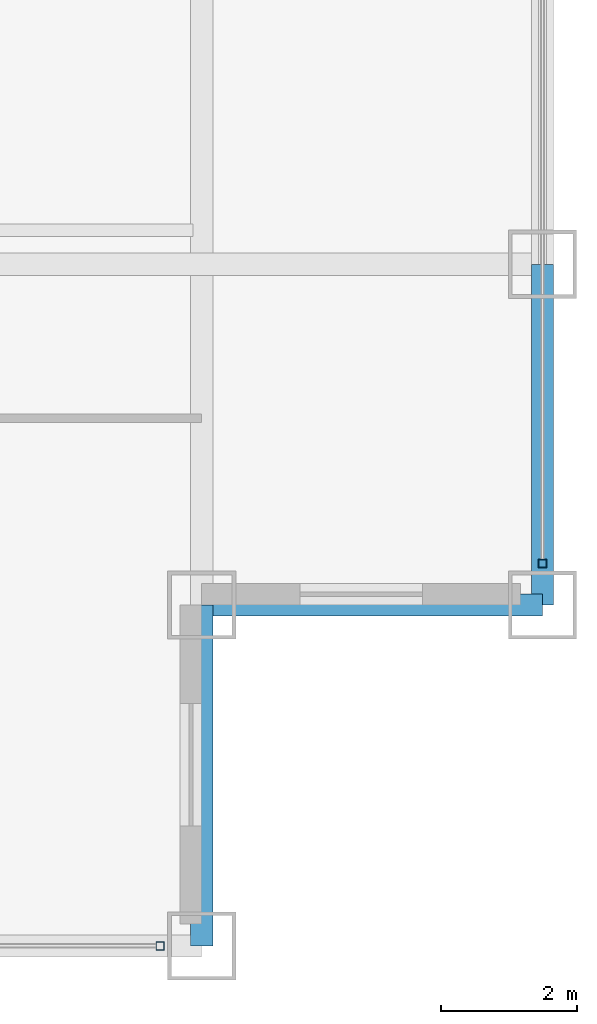
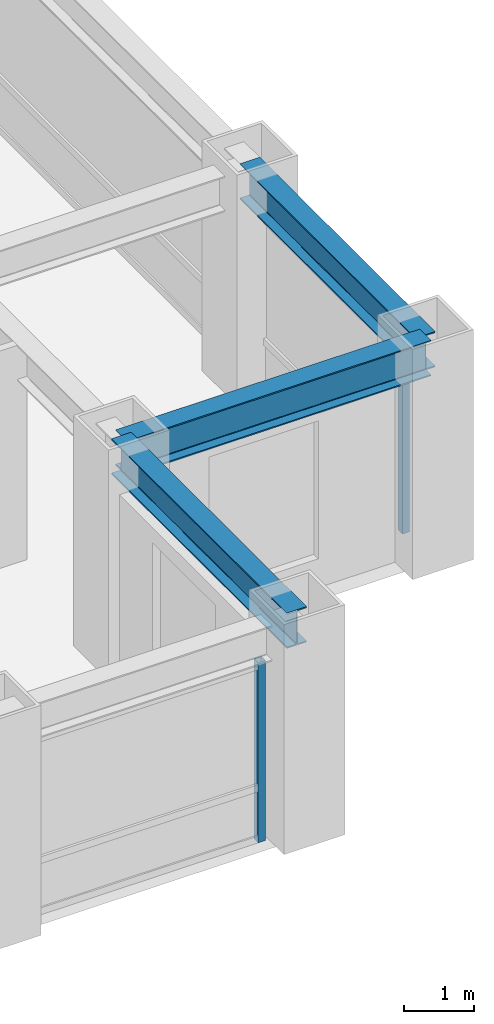
# One storey, part 8 of 24: 3 beams, 2 members, 2 elements without a shape of their own.
"""IFC4 building model written with IfcOpenShell, lengths in metres."""

import ifcopenshell
import ifcopenshell.guid

model = None  # the IFC model being written
_history = None  # IfcOwnerHistory: only IFC2X3 demands one
_inside = {}  # id of a spatial element -> (the spatial element, [elements in it])
_under = {}  # id of a project, library or spatial element -> (it, [spatial elements below it])
_declared = {}  # id of a project -> (the project, [libraries it declares])
_typed = {}  # id of a type object -> (the type object, [elements of that type])
_made_of = {}  # id of a material, layer set ... -> (it, [elements and type objects made of it])


def new_model(schema):
    """Start an empty IFC model of exactly this schema.

    Asked for "IFC4X3", IfcOpenShell would pick the latest addendum, in which some entities
    have other attributes; the version numbers below select the first issue.
    IFC2X3 requires an IfcOwnerHistory on every rooted entity: one is made here for all.
    """
    global model, _history
    if schema == "IFC4X3":
        model = ifcopenshell.file(schema_version=(4, 3, 0, 0))
    else:
        model = ifcopenshell.file(schema=schema)
    _inside.clear()
    _under.clear()
    _declared.clear()
    _typed.clear()
    _made_of.clear()
    _history = None
    if model.schema == "IFC2X3":
        org = make("IfcOrganization", Name="unknown")
        user = make(
            "IfcPersonAndOrganization",
            ThePerson=make("IfcPerson", FamilyName="unknown"),
            TheOrganization=org,
        )
        app = make(
            "IfcApplication",
            ApplicationDeveloper=org,
            Version="unknown",
            ApplicationFullName="unknown",
            ApplicationIdentifier="unknown",
        )
        _history = make(
            "IfcOwnerHistory",
            OwningUser=user,
            OwningApplication=app,
            ChangeAction="ADDED",
            CreationDate=0,
        )
    return model


def make(cls, **values):
    """One entity of the class cls with the attributes given. An attribute that is None is left unset."""
    return model.create_entity(
        cls, **{name: value for name, value in values.items() if value is not None}
    )


def rooted(cls, **values):
    """An entity with a GlobalId (a new one), such as an element, a storey or a relation."""
    return make(cls, GlobalId=ifcopenshell.guid.new(), OwnerHistory=_history, **values)


def si_unit(unit_type, name, prefix=None):
    """IfcSIUnit, for example si_unit("LENGTHUNIT", "METRE", prefix="MILLI")."""
    return make("IfcSIUnit", UnitType=unit_type, Prefix=prefix, Name=name)


def assignment(units):
    """IfcUnitAssignment: the units of a project."""
    return None if units is None else make("IfcUnitAssignment", Units=units)


def point(xyz):
    """IfcCartesianPoint."""
    return None if xyz is None else make("IfcCartesianPoint", Coordinates=xyz)


def direction(xyz):
    """IfcDirection."""
    return None if xyz is None else make("IfcDirection", DirectionRatios=xyz)


def frame(location, z_axis=None, x_axis=None):
    """IfcAxis2Placement3D, a coordinate frame: its origin and axes. An axis left out is left unset."""
    return make(
        "IfcAxis2Placement3D",
        Location=point(location),
        Axis=direction(z_axis),
        RefDirection=direction(x_axis),
    )


def frame_2d(location, x_axis=None):
    """IfcAxis2Placement2D, a coordinate frame in the plane: its origin and x axis."""
    return make(
        "IfcAxis2Placement2D", Location=point(location), RefDirection=direction(x_axis)
    )


def origin():
    """The frame at (0, 0, 0) with its axes left unset."""
    return frame((0.0, 0.0, 0.0))


def origin_2d():
    """The frame at (0, 0) in the plane with its x axis left unset."""
    return frame_2d((0.0, 0.0))


def place(relative_to, where):
    """IfcLocalPlacement: puts the frame where relative to a parent placement (None: the world)."""
    return make(
        "IfcLocalPlacement", PlacementRelTo=relative_to, RelativePlacement=where
    )


def context(
    kind, dimensions, precision=None, world=None, true_north=None, identifier=None
):
    """IfcGeometricRepresentationContext, for example the 3D "Model" context."""
    return make(
        "IfcGeometricRepresentationContext",
        ContextIdentifier=identifier,
        ContextType=kind,
        CoordinateSpaceDimension=dimensions,
        Precision=precision,
        WorldCoordinateSystem=world,
        TrueNorth=true_north,
    )


def subcontext(parent, identifier, kind, view, scale=None):
    """IfcGeometricRepresentationSubContext, for example "Body" below "Model"."""
    return make(
        "IfcGeometricRepresentationSubContext",
        ContextIdentifier=identifier,
        ContextType=kind,
        ParentContext=parent,
        TargetScale=scale,
        TargetView=view,
    )


def project(units=None, contexts=None):
    """IfcProject with its units and contexts."""
    return rooted(
        "IfcProject",
        Name="project",
        RepresentationContexts=contexts,
        UnitsInContext=assignment(units),
    )


def spatial(cls, under=None, at=None, **own):
    """A site, building, storey or space (cls), placed at a placement, below another one or the project."""
    s = rooted(cls, ObjectPlacement=at, **own)
    if under is not None:
        _under.setdefault(under.id(), (under, []))[1].append(s)
    return s


def profile(cls, at=None, kind="AREA", **sizes):
    """A parametric profile (cls). Its sizes go by their IFC names, for example OverallWidth=200.0."""
    return make(cls, ProfileType=kind, Position=at, **sizes)


def hollow_rectangle(**sizes):
    """IfcRectangleHollowProfileDef."""
    return profile("IfcRectangleHollowProfileDef", **sizes)


def i_section(**sizes):
    """IfcIShapeProfileDef."""
    return profile("IfcIShapeProfileDef", **sizes)


def extrude(swept, where, along, depth):
    """IfcExtrudedAreaSolid: the profile swept, set in the frame where, extruded along a direction by depth."""
    return make(
        "IfcExtrudedAreaSolid",
        SweptArea=swept,
        Position=where,
        ExtrudedDirection=direction(along),
        Depth=depth,
    )


def shape(context_of_items, identifier, shape_type, items):
    """IfcShapeRepresentation: the items that make up one representation, for example the "Body"."""
    return make(
        "IfcShapeRepresentation",
        ContextOfItems=context_of_items,
        RepresentationIdentifier=identifier,
        RepresentationType=shape_type,
        Items=items,
    )


def source(mapping_origin, context_of_items, identifier, shape_type, items):
    """IfcRepresentationMap: a shape defined once, which mapped items show again and again."""
    return make(
        "IfcRepresentationMap",
        MappingOrigin=mapping_origin,
        MappedRepresentation=shape(context_of_items, identifier, shape_type, items),
    )


def transform(
    local_origin,
    x_axis=None,
    y_axis=None,
    z_axis=None,
    scale=None,
    scale2=None,
    scale3=None,
    uniform=True,
):
    """IfcCartesianTransformationOperator3D, or its non-uniform kind. x_axis, y_axis, z_axis: its Axis1, 2, 3."""
    if uniform:
        return make(
            "IfcCartesianTransformationOperator3D",
            Axis1=direction(x_axis),
            Axis2=direction(y_axis),
            LocalOrigin=point(local_origin),
            Scale=scale,
            Axis3=direction(z_axis),
        )
    return make(
        "IfcCartesianTransformationOperator3DnonUniform",
        Axis1=direction(x_axis),
        Axis2=direction(y_axis),
        LocalOrigin=point(local_origin),
        Scale=scale,
        Axis3=direction(z_axis),
        Scale2=scale2,
        Scale3=scale3,
    )


def mapped(mapping_source, mapping_target):
    """IfcMappedItem: shows the shape of a source again, moved by a transform."""
    return make(
        "IfcMappedItem", MappingSource=mapping_source, MappingTarget=mapping_target
    )


def material(Name=None, Category=None):
    """IfcMaterial."""
    return make("IfcMaterial", Name=Name, Category=Category)


def material_profile(
    of_material, cross_section, Name=None, Category=None, Priority=None
):
    """IfcMaterialProfile: a cross section and its material."""
    return make(
        "IfcMaterialProfile",
        Name=Name,
        Material=of_material,
        Profile=cross_section,
        Priority=Priority,
        Category=Category,
    )


def profile_set(profiles, Name=None, composite=None):
    """IfcMaterialProfileSet."""
    return make(
        "IfcMaterialProfileSet",
        Name=Name,
        MaterialProfiles=profiles,
        CompositeProfile=composite,
    )


def made_of(thing, what):
    """Note that an element or type object is made of a material, layer set ...; save() writes the relation."""
    if what is not None:
        _made_of.setdefault(what.id(), (what, []))[1].append(thing)
    return thing


def type_object(cls, material=None, **own):
    """A type object (cls), such as IfcWallType, which elements share."""
    return made_of(rooted(cls, **own), material)


def element(
    cls,
    number,
    at=None,
    inside=None,
    cuts=None,
    type_object=None,
    material=None,
    context=None,
    identifier="Body",
    shape_type=None,
    held_by="IfcProductDefinitionShape",
    body=None,
    shapes=None,
    **own,
):
    """One element of the class cls, such as IfcWall. Its Tag is "e" and its number.

    at: its placement. inside: the storey or other place that contains it. cuts: it is an
    opening in that element (IfcRelVoidsElement). A single representation is given by context,
    identifier, shape_type and body (its items); several are given by shapes. held_by: the class
    of the entity that holds the representations. save() writes the other relations.
    """
    e = rooted(cls, Tag="e%d" % number, ObjectPlacement=at, **own)
    if body is not None:
        shapes = [shape(context, identifier, shape_type, body)]
    if shapes is not None:
        e.Representation = make(held_by, Representations=shapes)
    if inside is not None:
        _inside.setdefault(inside.id(), (inside, []))[1].append(e)
    if cuts is not None:
        rooted(
            "IfcRelVoidsElement", RelatingBuildingElement=cuts, RelatedOpeningElement=e
        )
    if type_object is not None:
        _typed.setdefault(type_object.id(), (type_object, []))[1].append(e)
    return made_of(e, material)


def aggregate(whole, parts):
    """IfcRelAggregates: a whole, such as a stair, and the parts it consists of."""
    return rooted("IfcRelAggregates", RelatingObject=whole, RelatedObjects=parts)


def save(model, path):
    """Write the relations noted so far, then the file.

    IfcRelAggregates (storeys below a building ...), IfcRelContainedInSpatialStructure (elements
    in a storey), IfcRelDefinesByType, IfcRelAssociatesMaterial and IfcRelDeclares: one each for
    every whole, place, type object, material and project.
    """
    for whole, parts in _under.values():
        aggregate(whole, parts)
    for where, things in _inside.values():
        rooted(
            "IfcRelContainedInSpatialStructure",
            RelatedElements=things,
            RelatingStructure=where,
        )
    for kind, things in _typed.values():
        rooted("IfcRelDefinesByType", RelatedObjects=things, RelatingType=kind)
    for what, things in _made_of.values():
        rooted("IfcRelAssociatesMaterial", RelatedObjects=things, RelatingMaterial=what)
    for by, libraries in _declared.values():
        rooted("IfcRelDeclares", RelatingContext=by, RelatedDefinitions=libraries)
    model.write(path)


model = new_model("IFC4")

# Units and contexts
model_context = context("Model", 3, precision=1e-05, world=origin(), true_north=direction((0.0, 1.0)))
body_context = subcontext(model_context, "Body", "Model", "MODEL_VIEW")
ifc_project = project(units=[si_unit("LENGTHUNIT", "METRE"), si_unit("AREAUNIT", "SQUARE_METRE"), si_unit("VOLUMEUNIT", "CUBIC_METRE"), si_unit("PLANEANGLEUNIT", "RADIAN"), si_unit("MASSUNIT", "GRAM", prefix="KILO")], contexts=[model_context])

# Site, building, storey
site_placement = place(None, origin())
site = spatial("IfcSite", under=ifc_project, at=site_placement, CompositionType="ELEMENT")
building_placement = place(site_placement, origin())
building = spatial("IfcBuilding", under=site, at=building_placement, Name="Khorayat Bourse Tower", CompositionType="ELEMENT")
storey_placement = place(building_placement, frame((0.0, 0.0, 219.10009765625)))
storey = spatial("IfcBuildingStorey", under=building, at=storey_placement, Name="L51", CompositionType="ELEMENT", Elevation=219.10009765625)

# Beams
ifc_material_1 = material(Name="Steel ASTM A992 Grade 50", Category="steel")
ifc_material_profile_1 = material_profile(ifc_material_1, i_section(OverallWidth=0.324951171875, OverallDepth=0.615966796875, WebThickness=0.013916015625, FlangeThickness=0.021484375, FilletRadius=0.01611328125, at=origin_2d()), Name="W610X174")
ifc_profile_set_1 = profile_set([ifc_material_profile_1], Name="Steel ASTM A992 Grade 50")
beam_type = type_object("IfcBeamType", Name="BM-SPAN-610", PredefinedType="SPANDREL", material=ifc_profile_set_1)
shared_shape_1 = source(origin(), body_context, "Body", "SweptSolid", [
    extrude(i_section(OverallWidth=0.324951171875, OverallDepth=0.615966796875, WebThickness=0.013916015625, FlangeThickness=0.021484375, FilletRadius=0.01611328125, at=origin_2d()), origin(), (0.0, 0.0, 1.0), 5.0),
])
for number, where, z_axis, x_axis, name in (
    (1, (25.0, -30.0, 3.471923828125), (0.0, 1.0, 0.0), (-1.0, 0.0, 0.0), "L51 BM-SPAN-610 BM-L51-SPN-032"),
    (2, (25.0, -25.0, 3.471923828125), (1.0, 0.0, 0.0), (0.0, 1.0, 0.0), "L51 BM-SPAN-610 BM-L51-SPN-033"),
    (3, (30.0, -25.0, 3.471923828125), (0.0, 1.0, 0.0), (-1.0, 0.0, 0.0), "L51 BM-SPAN-610 BM-L51-SPN-034"),
):
    element("IfcBeam", number, at=place(storey_placement, frame(where, z_axis=z_axis, x_axis=x_axis)), inside=storey, type_object=beam_type, Name=name, PredefinedType="SPANDREL", context=body_context, shape_type="MappedRepresentation", body=[
        mapped(shared_shape_1, transform((0.0, 0.0, 0.0), scale=1.0)),
    ])

# Curtain wall, member
ifc_material_2 = material(Name="Aluminium EN AW-6063 T6", Category="aluminium")
curtain_wall_type = type_object("IfcCurtainWallType", Name="CW-SYS-03", PredefinedType="NOTDEFINED", material=ifc_material_2)
curtain_wall_1_placement = place(storey_placement, origin())
curtain_wall_1 = element("IfcCurtainWall", 4, at=curtain_wall_1_placement, inside=storey, type_object=curtain_wall_type, Name="L51 Curtain Wall CW-L51-S1", PredefinedType="NOTDEFINED")
ifc_material_profile_2 = material_profile(ifc_material_2, hollow_rectangle(XDim=0.1201171875, YDim=0.1201171875, WallThickness=0.0048828125, at=origin_2d()), Name="ALU 120x120x5")
ifc_profile_set_2 = profile_set([ifc_material_profile_2], Name="Aluminium EN AW-6063 T6")
member_type = type_object("IfcMemberType", Name="CWM-VERT-120", PredefinedType="MULLION", material=ifc_profile_set_2)
shared_shape_2 = source(origin(), body_context, "Body", "SweptSolid", [
    extrude(hollow_rectangle(XDim=0.1201171875, YDim=0.1201171875, WallThickness=0.0048828125, at=origin_2d()), origin(), (0.0, 0.0, 1.0), 3.1298828125),
])
member_1_placement = place(storey_placement, frame((24.389892578125, -30.0, 0.0), z_axis=(0.0, 0.0, 1.0), x_axis=(0.0, 1.0, 0.0)))
member_1 = element("IfcMember", 5, at=member_1_placement, type_object=member_type, Name="CW-L51-S1 Vertical Mullion 3", PredefinedType="MULLION", context=body_context, shape_type="MappedRepresentation", body=[
    mapped(shared_shape_2, transform((0.0, 0.0, 0.0), scale=1.0)),
])
aggregate(curtain_wall_1, [member_1])

curtain_wall_2_placement = place(storey_placement, origin())
curtain_wall_2 = element("IfcCurtainWall", 6, at=curtain_wall_2_placement, inside=storey, type_object=curtain_wall_type, Name="L51 Curtain Wall CW-L51-E1", PredefinedType="NOTDEFINED")
member_2_placement = place(storey_placement, frame((30.0, -24.389892578125, 0.0), z_axis=(0.0, 0.0, 1.0), x_axis=(-1.0, 0.0, 0.0)))
member_2 = element("IfcMember", 7, at=member_2_placement, type_object=member_type, Name="CW-L51-E1 Vertical Mullion 1", PredefinedType="MULLION", context=body_context, shape_type="MappedRepresentation", body=[
    mapped(shared_shape_2, transform((0.0, 0.0, 0.0), scale=1.0)),
])
aggregate(curtain_wall_2, [member_2])

save(model, "model.ifc")
